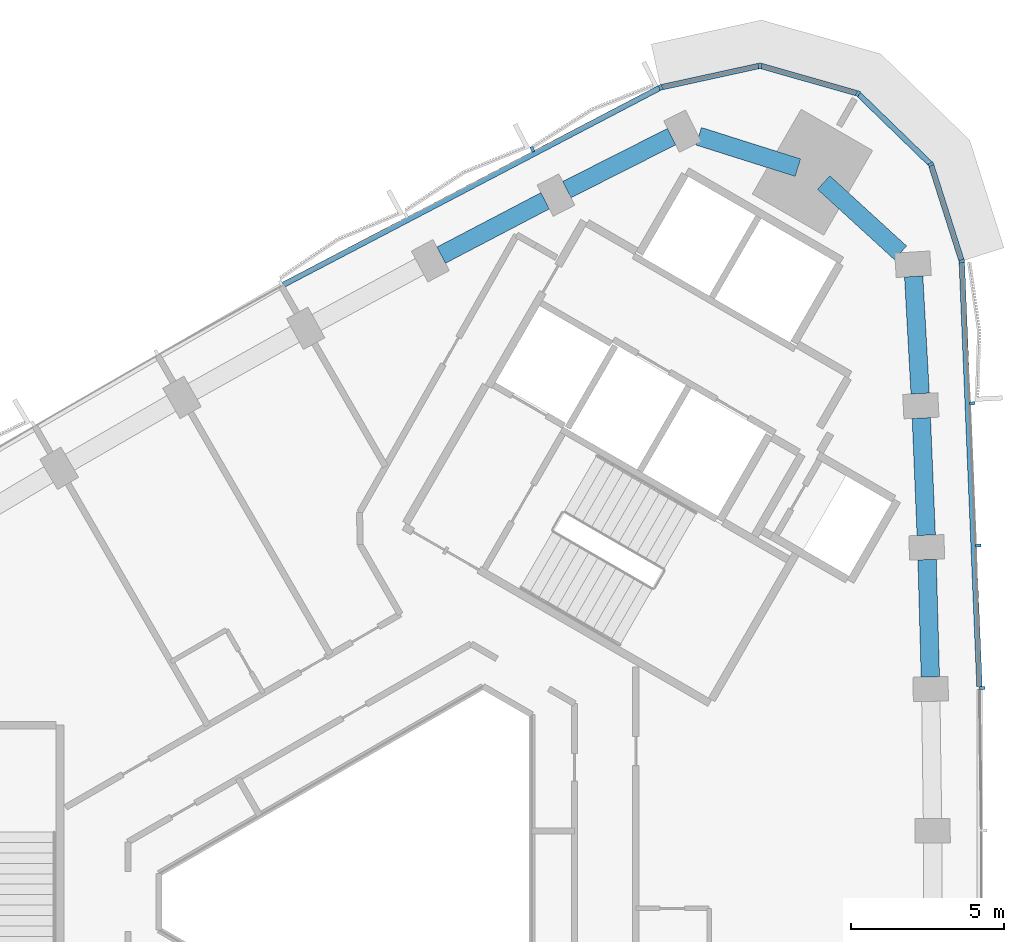
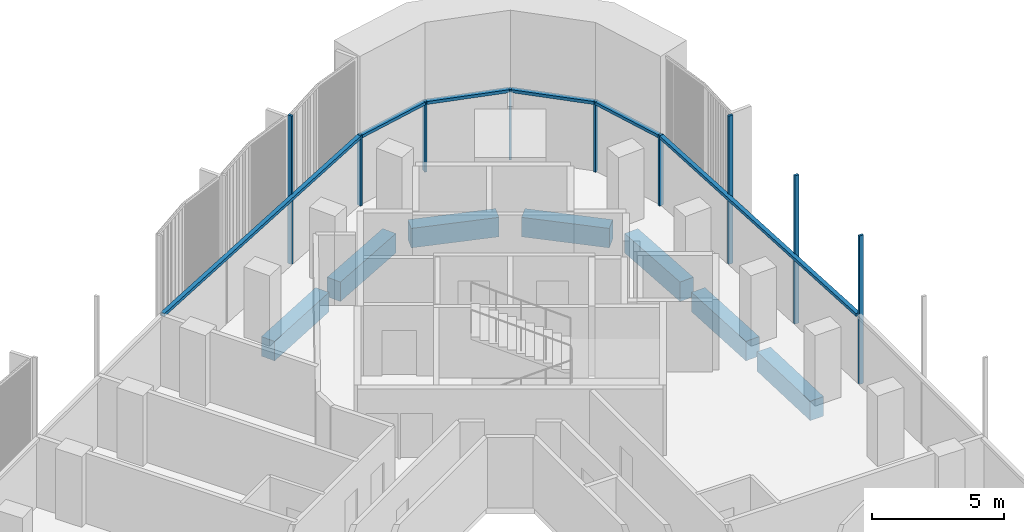
# One storey, part 5 of 14: 15 members, 7 beams, 2 elements without a shape of their own.
"""IFC4 building model written with IfcOpenShell, lengths in metres."""

from ifc_helpers import new_model, si_unit, direction, frame, origin, origin_2d, place, context, subcontext, project, spatial, rectangle, extrude, material, material_profile, profile_set, type_object, element, aggregate, save


model = new_model("IFC4")

# Units and contexts
model_context = context("Model", 3, precision=1e-05, world=origin(), true_north=direction((0.0, 1.0)))
body_context = subcontext(model_context, "Body", "Model", "MODEL_VIEW")
ifc_project = project(units=[si_unit("LENGTHUNIT", "METRE"), si_unit("AREAUNIT", "SQUARE_METRE"), si_unit("VOLUMEUNIT", "CUBIC_METRE"), si_unit("PLANEANGLEUNIT", "RADIAN"), si_unit("MASSUNIT", "GRAM", prefix="KILO")], contexts=[model_context])

# Site, building, storey
site_placement = place(None, origin())
site = spatial("IfcSite", under=ifc_project, at=site_placement, CompositionType="ELEMENT")
building_placement = place(site_placement, origin())
building = spatial("IfcBuilding", under=site, at=building_placement, Name="Tamra Quay Hotel Tower", CompositionType="ELEMENT")
storey_placement = place(building_placement, frame((0.0, 0.0, 175.60009765625)))
storey = spatial("IfcBuildingStorey", under=building, at=storey_placement, Name="L43", CompositionType="ELEMENT", Elevation=175.60009765625)

# Curtain wall, members
ifc_material_1 = material(Name="Aluminium 6063 anodised dark grey", Category="aluminium")
curtain_wall_type_1 = type_object("IfcCurtainWallType", Name="CW1 CURTAIN WALL", PredefinedType="NOTDEFINED", material=ifc_material_1)
curtain_wall_1_placement = place(storey_placement, origin())
curtain_wall_1 = element("IfcCurtainWall", 1, at=curtain_wall_1_placement, inside=storey, type_object=curtain_wall_type_1, Name="CW1 east face L43", PredefinedType="NOTDEFINED")
ifc_material_profile_1 = material_profile(ifc_material_1, rectangle(XDim=0.179931640625, YDim=0.10009765625, at=origin_2d()), Name="MULLION 100X180")
ifc_profile_set_1 = profile_set([ifc_material_profile_1], Name="Aluminium 6063 anodised dark grey")
member_type_1 = type_object("IfcMemberType", Name="MULLION CW1 Z4", PredefinedType="MULLION", material=ifc_profile_set_1)
member_1_placement = place(storey_placement, frame((19.336669921875, 6.991455078125, 0.0), z_axis=(0.0, 0.0, 1.0), x_axis=(0.999783233149, 0.020820343761, 0.0)))
member_1 = element("IfcMember", 2, at=member_1_placement, type_object=member_type_1, Name="CW1 mullion L43.E.7", PredefinedType="MULLION", context=body_context, shape_type="SweptSolid", body=[
    extrude(rectangle(XDim=0.179931640625, YDim=0.10009765625, at=origin_2d()), origin(), (0.0, 0.0, 1.0), 6.849853515625),
])
member_2_placement = place(storey_placement, frame((19.20751953125, 11.64990234375, 0.0), z_axis=(0.0, 0.0, 1.0), x_axis=(0.999398551389, 0.034677593353, 0.0)))
member_2 = element("IfcMember", 3, at=member_2_placement, type_object=member_type_1, Name="CW1 mullion L43.E.8", PredefinedType="MULLION", context=body_context, shape_type="SweptSolid", body=[
    extrude(rectangle(XDim=0.179931640625, YDim=0.10009765625, at=origin_2d()), origin(), (0.0, 0.0, 1.0), 6.849853515625),
])
member_3_placement = place(storey_placement, frame((19.013427734375, 16.30712890625, 0.0), z_axis=(0.0, 0.0, 1.0), x_axis=(0.998822718062, 0.048509564873, 0.0)))
member_3 = element("IfcMember", 4, at=member_3_placement, type_object=member_type_1, Name="CW1 mullion L43.E.9", PredefinedType="MULLION", context=body_context, shape_type="SweptSolid", body=[
    extrude(rectangle(XDim=0.179931640625, YDim=0.10009765625, at=origin_2d()), origin(), (0.0, 0.0, 1.0), 6.849853515625),
])
member_4_placement = place(storey_placement, frame((18.665283203125, 20.955078125, 0.0), z_axis=(0.0, 0.0, 1.0), x_axis=(0.983509429279, 0.180856856435, 0.0)))
member_4 = element("IfcMember", 5, at=member_4_placement, type_object=member_type_1, Name="CW1 mullion L43.E.10", PredefinedType="MULLION", context=body_context, shape_type="SweptSolid", body=[
    extrude(rectangle(XDim=0.179931640625, YDim=0.10009765625, at=origin_2d()), origin(), (0.0, 0.0, 1.0), 3.25),
])
member_5_placement = place(storey_placement, frame((17.65576171875, 24.1259765625, 0.0), z_axis=(0.0, 0.0, 1.0), x_axis=(0.85012217174, 0.526585504089, 0.0)))
member_5 = element("IfcMember", 6, at=member_5_placement, type_object=member_type_1, Name="CW1 mullion L43.E.11", PredefinedType="MULLION", context=body_context, shape_type="SweptSolid", body=[
    extrude(rectangle(XDim=0.179931640625, YDim=0.10009765625, at=origin_2d()), origin(), (0.0, 0.0, 1.0), 3.25),
])
member_6_placement = place(storey_placement, frame((15.2666015625, 26.4423828125, 0.0), z_axis=(0.0, 0.0, 1.0), x_axis=(0.5, 0.866025403784, 0.0)))
member_6 = element("IfcMember", 7, at=member_6_placement, type_object=member_type_1, Name="CW1 mullion L43.E.12", PredefinedType="MULLION", context=body_context, shape_type="SweptSolid", body=[
    extrude(rectangle(XDim=0.179931640625, YDim=0.10009765625, at=origin_2d()), origin(), (0.0, 0.0, 1.0), 3.25),
])
member_7_placement = place(storey_placement, frame((12.06591796875, 27.353271484375, 0.0), z_axis=(0.0, 0.0, 1.0), x_axis=(0.030975337936, 0.999520149091, 0.0)))
member_7 = element("IfcMember", 8, at=member_7_placement, type_object=member_type_1, Name="CW1 mullion L43.E.13", PredefinedType="MULLION", context=body_context, shape_type="SweptSolid", body=[
    extrude(rectangle(XDim=0.179931640625, YDim=0.10009765625, at=origin_2d()), origin(), (0.0, 0.0, 1.0), 3.25),
])

curtain_wall_type_2 = type_object("IfcCurtainWallType", Name="CW2 CURTAIN WALL", PredefinedType="NOTDEFINED", material=ifc_material_1)
curtain_wall_2_placement = place(storey_placement, origin())
curtain_wall_2 = element("IfcCurtainWall", 9, at=curtain_wall_2_placement, inside=storey, type_object=curtain_wall_type_2, Name="CW2 north-west face L43", PredefinedType="NOTDEFINED")
ifc_material_profile_2 = material_profile(ifc_material_1, rectangle(XDim=0.179931640625, YDim=0.10009765625, at=origin_2d()), Name="MULLION 100X180")
ifc_profile_set_2 = profile_set([ifc_material_profile_2], Name="Aluminium 6063 anodised dark grey")
member_type_2 = type_object("IfcMemberType", Name="MULLION CW2 Z4", PredefinedType="MULLION", material=ifc_profile_set_2)
member_8_placement = place(storey_placement, frame((8.81494140625, 26.642333984375, 0.0), z_axis=(0.0, 0.0, 1.0), x_axis=(-0.335128082518, 0.942172578834, 0.0)))
member_8 = element("IfcMember", 10, at=member_8_placement, type_object=member_type_2, Name="CW2 mullion L43.NW.1", PredefinedType="MULLION", context=body_context, shape_type="SweptSolid", body=[
    extrude(rectangle(XDim=0.179931640625, YDim=0.10009765625, at=origin_2d()), origin(), (0.0, 0.0, 1.0), 3.25),
])
member_9_placement = place(storey_placement, frame((4.61572265625, 24.61962890625, 0.0), z_axis=(0.0, 0.0, 1.0), x_axis=(-0.457400843524, 0.889260630155, 0.0)))
member_9 = element("IfcMember", 11, at=member_9_placement, type_object=member_type_2, Name="CW2 mullion L43.NW.2", PredefinedType="MULLION", context=body_context, shape_type="SweptSolid", body=[
    extrude(rectangle(XDim=0.179931640625, YDim=0.10009765625, at=origin_2d()), origin(), (0.0, 0.0, 1.0), 6.849853515625),
])

# Beams
ifc_material_2 = material(Name="Concrete M60", Category="concrete")
ifc_material_profile_3 = material_profile(ifc_material_2, rectangle(XDim=0.60009765625, YDim=0.89990234375, at=origin_2d()), Name="SPANDREL BEAM RC 600x900")
ifc_profile_set_3 = profile_set([ifc_material_profile_3], Name="Concrete M60")
beam_type = type_object("IfcBeamType", Name="SPANDREL BEAM RC 600x900", PredefinedType="SPANDREL", material=ifc_profile_set_3)
beam_1_placement = place(storey_placement, frame((17.636962890625, 7.355712890625, -0.800048828125), z_axis=(-0.02773528523, 0.999615302981, 0.0), x_axis=(-0.999615302981, -0.02773528523, 0.0)))
element("IfcBeam", 12, at=beam_1_placement, inside=storey, type_object=beam_type, Name="BM-SP4-006-L43", PredefinedType="SPANDREL", context=body_context, shape_type="SweptSolid", body=[
    extrude(rectangle(XDim=0.60009765625, YDim=0.89990234375, at=origin_2d()), origin(), (0.0, 0.0, 1.0), 3.837890625),
])
beam_2_placement = place(storey_placement, frame((17.502685546875, 11.99169921875, -0.800048828125), z_axis=(-0.041609373826, 0.999133954988, 0.0), x_axis=(-0.999133954988, -0.041609373826, 0.0)))
element("IfcBeam", 13, at=beam_2_placement, inside=storey, type_object=beam_type, Name="BM-SP4-007-L43", PredefinedType="SPANDREL", context=body_context, shape_type="SweptSolid", body=[
    extrude(rectangle(XDim=0.60009765625, YDim=0.89990234375, at=origin_2d()), origin(), (0.0, 0.0, 1.0), 3.83740234375),
])
beam_3_placement = place(storey_placement, frame((17.30419921875, 16.625, -0.800048828125), z_axis=(-0.055346700292, 0.99846719664, 0.0), x_axis=(-0.99846719664, -0.055346700292, 0.0)))
element("IfcBeam", 14, at=beam_3_placement, inside=storey, type_object=beam_type, Name="BM-SP4-008-L43", PredefinedType="SPANDREL", context=body_context, shape_type="SweptSolid", body=[
    extrude(rectangle(XDim=0.60009765625, YDim=0.89990234375, at=origin_2d()), origin(), (0.0, 0.0, 1.0), 3.837646484375),
])
beam_4_placement = place(storey_placement, frame((16.659423828125, 21.2314453125, -0.800048828125), z_axis=(-0.737716497183, 0.675110635218, 0.0), x_axis=(-0.675110635218, -0.737716497183, 0.0)))
element("IfcBeam", 15, at=beam_4_placement, inside=storey, type_object=beam_type, Name="BM-SP4-009-L43", PredefinedType="SPANDREL", context=body_context, shape_type="SweptSolid", body=[
    extrude(rectangle(XDim=0.60009765625, YDim=0.89990234375, at=origin_2d()), origin(), (0.0, 0.0, 1.0), 3.404296875),
])
beam_5_placement = place(storey_placement, frame((13.302978515625, 24.017333984375, -0.800048828125), z_axis=(-0.953502415748, 0.301385373174, 0.0), x_axis=(-0.301385373174, -0.953502415748, 0.0)))
element("IfcBeam", 16, at=beam_5_placement, inside=storey, type_object=beam_type, Name="BM-SP4-010-L43", PredefinedType="SPANDREL", context=body_context, shape_type="SweptSolid", body=[
    extrude(rectangle(XDim=0.60009765625, YDim=0.89990234375, at=origin_2d()), origin(), (0.0, 0.0, 1.0), 3.40380859375),
])
beam_6_placement = place(storey_placement, frame((9.170166015625, 25.030029296875, -0.800048828125), z_axis=(-0.892407883039, -0.451229620359, 0.0), x_axis=(0.451229620359, -0.892407883039, 0.0)))
element("IfcBeam", 17, at=beam_6_placement, inside=storey, type_object=beam_type, Name="BM-SP4-011-L43", PredefinedType="SPANDREL", context=body_context, shape_type="SweptSolid", body=[
    extrude(rectangle(XDim=0.60009765625, YDim=0.89990234375, at=origin_2d()), origin(), (0.0, 0.0, 1.0), 3.837646484375),
])
beam_7_placement = place(storey_placement, frame((5.033935546875, 22.9326171875, -0.800048828125), z_axis=(-0.886043134182, -0.463602808845, 0.0), x_axis=(0.463602808845, -0.886043134182, 0.0)))
element("IfcBeam", 18, at=beam_7_placement, inside=storey, type_object=beam_type, Name="BM-SP4-012-L43", PredefinedType="SPANDREL", context=body_context, shape_type="SweptSolid", body=[
    extrude(rectangle(XDim=0.60009765625, YDim=0.89990234375, at=origin_2d()), origin(), (0.0, 0.0, 1.0), 3.83740234375),
])

# Member
ifc_material_profile_4 = material_profile(ifc_material_1, rectangle(XDim=0.179931640625, YDim=0.139892578125, at=origin_2d()), Name="TRANSOM 180X140")
ifc_profile_set_4 = profile_set([ifc_material_profile_4], Name="Aluminium 6063 anodised dark grey")
member_type_3 = type_object("IfcMemberType", Name="TRANSOM CW1 Z4", PredefinedType="USERDEFINED", material=ifc_profile_set_4)
member_10_placement = place(storey_placement, frame((19.245361328125, 7.03955078125, 3.179931640625), z_axis=(-0.041588103727, 0.999134840564, 0.0), x_axis=(-0.999134840564, -0.041588103727, 0.0)))
member_10 = element("IfcMember", 19, at=member_10_placement, type_object=member_type_3, Name="CW1 transom L43.E.7", ObjectType="TRANSOM", PredefinedType="USERDEFINED", context=body_context, shape_type="SweptSolid", body=[
    extrude(rectangle(XDim=0.179931640625, YDim=0.139892578125, at=origin_2d()), origin(), (0.0, 0.0, 1.0), 13.877685546875),
])

member_11_placement = place(storey_placement, frame((18.650146484375, 21.002685546875, 3.179931640625), z_axis=(-0.303378482034, 0.952870136293, 0.0), x_axis=(-0.952870136293, -0.303378482034, 0.0)))
member_11 = element("IfcMember", 20, at=member_11_placement, type_object=member_type_3, Name="CW1 transom L43.E.10", ObjectType="TRANSOM", PredefinedType="USERDEFINED", context=body_context, shape_type="SweptSolid", body=[
    extrude(rectangle(XDim=0.179931640625, YDim=0.139892578125, at=origin_2d()), origin(), (0.0, 0.0, 1.0), 3.227783203125),
])

member_12_placement = place(storey_placement, frame((17.619873046875, 24.160888671875, 3.179931640625), z_axis=(-0.717989739808, 0.696053685811, 0.0), x_axis=(-0.696053685811, -0.717989739808, 0.0)))
member_12 = element("IfcMember", 21, at=member_12_placement, type_object=member_type_3, Name="CW1 transom L43.E.11", ObjectType="TRANSOM", PredefinedType="USERDEFINED", context=body_context, shape_type="SweptSolid", body=[
    extrude(rectangle(XDim=0.179931640625, YDim=0.139892578125, at=origin_2d()), origin(), (0.0, 0.0, 1.0), 3.2275390625),
])

member_13_placement = place(storey_placement, frame((15.218505859375, 26.4560546875, 3.179931640625), z_axis=(-0.961806009168, 0.273731987038, 0.0), x_axis=(-0.273731987038, -0.961806009168, 0.0)))
member_13 = element("IfcMember", 22, at=member_13_placement, type_object=member_type_3, Name="CW1 transom L43.E.12", ObjectType="TRANSOM", PredefinedType="USERDEFINED", context=body_context, shape_type="SweptSolid", body=[
    extrude(rectangle(XDim=0.179931640625, YDim=0.139892578125, at=origin_2d()), origin(), (0.0, 0.0, 1.0), 3.227783203125),
])

member_14_placement = place(storey_placement, frame((12.01708984375, 27.342529296875, 3.179931640625), z_axis=(-0.976905938147, -0.21366981072, 0.0), x_axis=(0.21366981072, -0.976905938147, 0.0)))
member_14 = element("IfcMember", 23, at=member_14_placement, type_object=member_type_3, Name="CW1 transom L43.E.13", ObjectType="TRANSOM", PredefinedType="USERDEFINED", context=body_context, shape_type="SweptSolid", body=[
    extrude(rectangle(XDim=0.179931640625, YDim=0.139892578125, at=origin_2d()), origin(), (0.0, 0.0, 1.0), 3.227783203125),
])

aggregate(curtain_wall_1, [member_1, member_10, member_2, member_3, member_4, member_11, member_5, member_12, member_6, member_13, member_7, member_14])

ifc_material_profile_5 = material_profile(ifc_material_1, rectangle(XDim=0.179931640625, YDim=0.139892578125, at=origin_2d()), Name="TRANSOM 180X140")
ifc_profile_set_5 = profile_set([ifc_material_profile_5], Name="Aluminium 6063 anodised dark grey")
member_type_4 = type_object("IfcMemberType", Name="TRANSOM CW2 Z4", PredefinedType="USERDEFINED", material=ifc_profile_set_5)
member_15_placement = place(storey_placement, frame((8.770263671875, 26.61962890625, 3.179931640625), z_axis=(-0.886075202027, -0.463541515242, 0.0), x_axis=(0.463541515242, -0.886075202027, 0.0)))
member_15 = element("IfcMember", 24, at=member_15_placement, type_object=member_type_4, Name="CW2 transom L43.NW.1", ObjectType="TRANSOM", PredefinedType="USERDEFINED", context=body_context, shape_type="SweptSolid", body=[
    extrude(rectangle(XDim=0.179931640625, YDim=0.139892578125, at=origin_2d()), origin(), (0.0, 0.0, 1.0), 13.877685546875),
])

aggregate(curtain_wall_2, [member_8, member_15, member_9])

save(model, "model.ifc")
